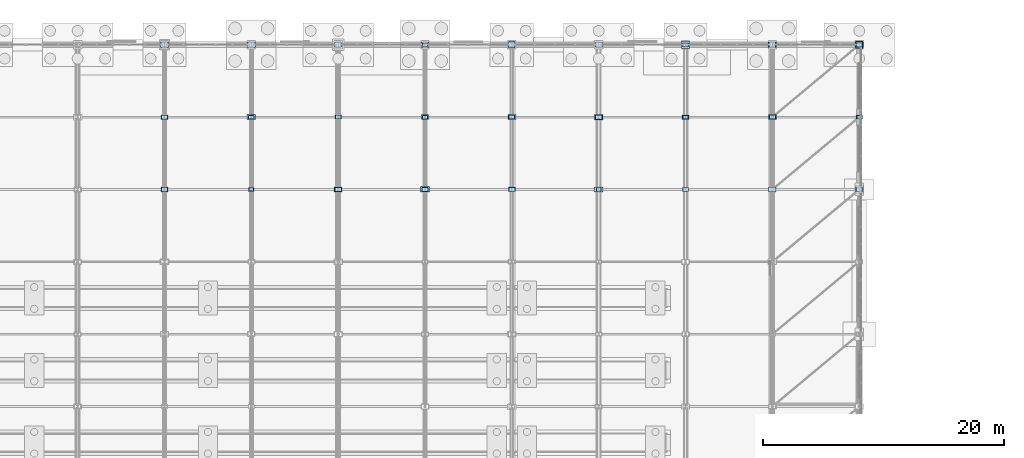
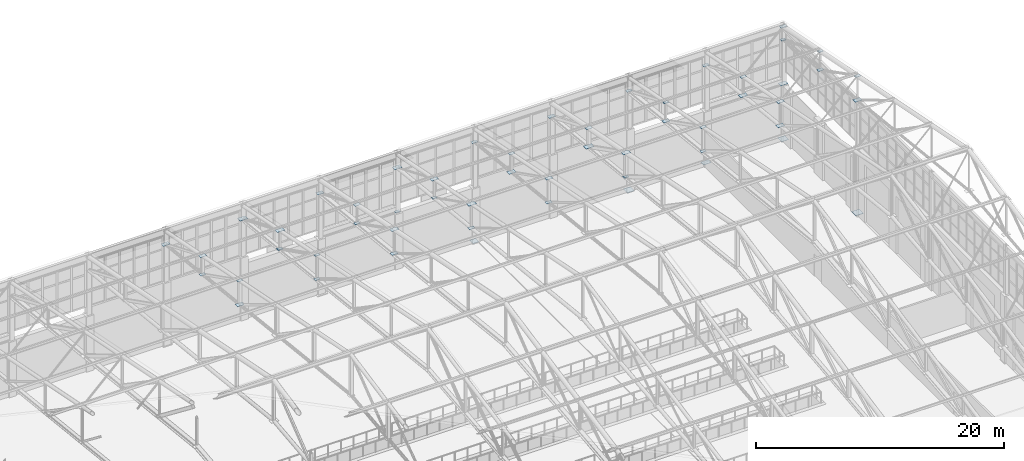
# One storey, part 261 of 293: 53 plates.
"""IFC4 building model written with IfcOpenShell, lengths in metres."""

from ifc_helpers import new_model, si_unit, direction, frame, origin, origin_2d, place, context, subcontext, project, spatial, rectangle, extrude, material, layer, layer_set, type_object, element, save


model = new_model("IFC4")

# Units and contexts
model_context = context("Model", 3, precision=1e-05, world=origin(), true_north=direction((0.0, 1.0)))
body_context = subcontext(model_context, "Body", "Model", "MODEL_VIEW")
ifc_project = project(units=[si_unit("LENGTHUNIT", "METRE"), si_unit("AREAUNIT", "SQUARE_METRE"), si_unit("VOLUMEUNIT", "CUBIC_METRE"), si_unit("PLANEANGLEUNIT", "RADIAN"), si_unit("MASSUNIT", "GRAM", prefix="KILO")], contexts=[model_context])

# Site, building, storey
site_placement = place(None, origin())
site = spatial("IfcSite", under=ifc_project, at=site_placement, CompositionType="ELEMENT")
building_placement = place(site_placement, origin())
building = spatial("IfcBuilding", under=site, at=building_placement, Name="Kemerveld Promenade Tramway Depot", CompositionType="ELEMENT")
storey_placement = place(building_placement, origin())
storey = spatial("IfcBuildingStorey", under=building, at=storey_placement, Name="L00", CompositionType="ELEMENT", Elevation=0.0)

# Plates
ifc_material = material(Name="Steel S355", Category="steel")
ifc_layer_1 = layer(ifc_material, 0.034912109375)
ifc_layer_set_1 = layer_set([ifc_layer_1], Name="PL-BP05")
plate_type_1 = type_object("IfcPlateType", Name="PL-BP05", PredefinedType="USERDEFINED", material=ifc_layer_set_1)
plate_1_placement = place(storey_placement, frame((187.199951171875, 132.0, 0.0), z_axis=(0.0, 0.0, 1.0), x_axis=(1.0, 0.0, 0.0)))
element("IfcPlate", 1, at=plate_1_placement, inside=storey, type_object=plate_type_1, Name="BP-27-S", ObjectType="BASE_PLATE", PredefinedType="USERDEFINED", context=body_context, shape_type="SweptSolid", body=[
    extrude(rectangle(XDim=0.699951171875, YDim=0.699951171875, at=origin_2d()), origin(), (0.0, 0.0, 1.0), 0.034912109375),
])
ifc_layer_2 = layer(ifc_material, 0.030029296875)
ifc_layer_set_2 = layer_set([ifc_layer_2], Name="PL-BP06")
plate_type_2 = type_object("IfcPlateType", Name="PL-BP06", PredefinedType="USERDEFINED", material=ifc_layer_set_2)
for number, where, z_axis, x_axis, name in (
    (2, (172.800048828125, 144.0, 0.0), (0.0, 0.0, 1.0), (1.0, 0.0, 0.0), "BP-25-U"),
    (3, (187.199951171875, 144.0, 0.0), (0.0, 0.0, 1.0), (1.0, 0.0, 0.0), "BP-27-U"),
):
    element("IfcPlate", number, at=place(storey_placement, frame(where, z_axis=z_axis, x_axis=x_axis)), inside=storey, type_object=plate_type_2, Name=name, ObjectType="BASE_PLATE", PredefinedType="USERDEFINED", context=body_context, shape_type="SweptSolid", body=[
        extrude(rectangle(XDim=0.64990234375, YDim=0.64990234375, at=origin_2d()), origin(), (0.0, 0.0, 1.0), 0.030029296875),
    ])
ifc_layer_3 = layer(ifc_material, 0.02490234375)
ifc_layer_set_3 = layer_set([ifc_layer_3], Name="PL-BP08")
plate_type_3 = type_object("IfcPlateType", Name="PL-BP08", PredefinedType="USERDEFINED", material=ifc_layer_set_3)
plate_2_placement = place(storey_placement, frame((158.39990234375, 144.0, 0.0), z_axis=(0.0, 0.0, 1.0), x_axis=(1.0, 0.0, 0.0)))
element("IfcPlate", 4, at=plate_2_placement, inside=storey, type_object=plate_type_3, Name="BP-23-U", ObjectType="BASE_PLATE", PredefinedType="USERDEFINED", context=body_context, shape_type="SweptSolid", body=[
    extrude(rectangle(XDim=0.550048828125, YDim=0.550048828125, at=origin_2d()), origin(), (0.0, 0.0, 1.0), 0.02490234375),
])
ifc_layer_4 = layer(ifc_material, 0.02490234375)
ifc_layer_set_4 = layer_set([ifc_layer_4], Name="PL-GS01")
plate_type_4 = type_object("IfcPlateType", Name="PL-GS01", PredefinedType="USERDEFINED", material=ifc_layer_set_4)
for number, where, z_axis, x_axis, name in (
    (5, (129.60009765625, 144.0, 9.78759765625), (0.0, 0.0, 1.0), (1.0, 0.0, 0.0), "GP-NODE-0328"),
    (6, (144.0, 132.0, 13.487548828125), (0.0, 0.0, 1.0), (1.0, 0.0, 0.0), "GP-NODE-0364"),
    (7, (158.39990234375, 138.0, 10.447509765625), (0.0, 0.0, 1.0), (1.0, 0.0, 0.0), "GP-NODE-0400"),
    (8, (187.199951171875, 132.0, 11.107666015625), (0.0, 0.0, 1.0), (1.0, 0.0, 0.0), "GP-NODE-0472"),
):
    element("IfcPlate", number, at=place(storey_placement, frame(where, z_axis=z_axis, x_axis=x_axis)), inside=storey, type_object=plate_type_4, Name=name, ObjectType="GUSSET_PLATE", PredefinedType="USERDEFINED", context=body_context, shape_type="SweptSolid", body=[
        extrude(rectangle(XDim=0.64990234375, YDim=0.419921875, at=origin_2d()), origin(), (0.0, 0.0, 1.0), 0.02490234375),
    ])
ifc_layer_5 = layer(ifc_material, 0.02490234375)
ifc_layer_set_5 = layer_set([ifc_layer_5], Name="PL-GS02")
plate_type_5 = type_object("IfcPlateType", Name="PL-GS02", PredefinedType="USERDEFINED", material=ifc_layer_set_5)
for number, where, z_axis, x_axis, name in (
    (9, (129.60009765625, 138.0, 12.28759765625), (0.0, 0.0, 1.0), (1.0, 0.0, 0.0), "GP-NODE-0329"),
    (10, (144.0, 144.0, 9.78759765625), (0.0, 0.0, 1.0), (1.0, 0.0, 0.0), "GP-NODE-0365"),
    (11, (158.39990234375, 132.0, 13.487548828125), (0.0, 0.0, 1.0), (1.0, 0.0, 0.0), "GP-NODE-0401"),
    (12, (172.800048828125, 138.0, 10.447509765625), (0.0, 0.0, 1.0), (1.0, 0.0, 0.0), "GP-NODE-0437"),
):
    element("IfcPlate", number, at=place(storey_placement, frame(where, z_axis=z_axis, x_axis=x_axis)), inside=storey, type_object=plate_type_5, Name=name, ObjectType="GUSSET_PLATE", PredefinedType="USERDEFINED", context=body_context, shape_type="SweptSolid", body=[
        extrude(rectangle(XDim=0.580078125, YDim=0.3798828125, at=origin_2d()), origin(), (0.0, 0.0, 1.0), 0.02490234375),
    ])
ifc_layer_6 = layer(ifc_material, 0.02001953125)
ifc_layer_set_6 = layer_set([ifc_layer_6], Name="PL-GS03")
plate_type_6 = type_object("IfcPlateType", Name="PL-GS03", PredefinedType="USERDEFINED", material=ifc_layer_set_6)
for number, where, z_axis, x_axis, name in (
    (13, (151.199951171875, 132.0, 11.110107421875), (0.0, 0.0, 1.0), (1.0, 0.0, 0.0), "GP-22-08"),
    (14, (144.0, 138.0, 12.2900390625), (0.0, 0.0, 1.0), (1.0, 0.0, 0.0), "GP-NODE-0366"),
    (15, (158.39990234375, 144.0, 9.7900390625), (0.0, 0.0, 1.0), (1.0, 0.0, 0.0), "GP-NODE-0402"),
    (16, (172.800048828125, 132.0, 13.489990234375), (0.0, 0.0, 1.0), (1.0, 0.0, 0.0), "GP-NODE-0438"),
    (17, (187.199951171875, 138.0, 10.449951171875), (0.0, 0.0, 1.0), (1.0, 0.0, 0.0), "GP-NODE-0474"),
):
    element("IfcPlate", number, at=place(storey_placement, frame(where, z_axis=z_axis, x_axis=x_axis)), inside=storey, type_object=plate_type_6, Name=name, ObjectType="GUSSET_PLATE", PredefinedType="USERDEFINED", context=body_context, shape_type="SweptSolid", body=[
        extrude(rectangle(XDim=0.52001953125, YDim=0.340087890625, at=origin_2d()), origin(), (0.0, 0.0, 1.0), 0.02001953125),
    ])
ifc_layer_7 = layer(ifc_material, 0.02001953125)
ifc_layer_set_7 = layer_set([ifc_layer_7], Name="PL-GS04")
plate_type_7 = type_object("IfcPlateType", Name="PL-GS04", PredefinedType="USERDEFINED", material=ifc_layer_set_7)
for number, where, z_axis, x_axis, name in (
    (18, (158.39990234375, 138.0, 12.2900390625), (0.0, 0.0, 1.0), (1.0, 0.0, 0.0), "GP-NODE-0403"),
    (19, (172.800048828125, 144.0, 9.7900390625), (0.0, 0.0, 1.0), (1.0, 0.0, 0.0), "GP-NODE-0439"),
    (20, (187.199951171875, 132.0, 13.489990234375), (0.0, 0.0, 1.0), (1.0, 0.0, 0.0), "GP-NODE-0475"),
):
    element("IfcPlate", number, at=place(storey_placement, frame(where, z_axis=z_axis, x_axis=x_axis)), inside=storey, type_object=plate_type_7, Name=name, ObjectType="GUSSET_PLATE", PredefinedType="USERDEFINED", context=body_context, shape_type="SweptSolid", body=[
        extrude(rectangle(XDim=0.47998046875, YDim=0.320068359375, at=origin_2d()), origin(), (0.0, 0.0, 1.0), 0.02001953125),
    ])
ifc_layer_8 = layer(ifc_material, 0.02001953125)
ifc_layer_set_8 = layer_set([ifc_layer_8], Name="PL-GS05")
plate_type_8 = type_object("IfcPlateType", Name="PL-GS05", PredefinedType="USERDEFINED", material=ifc_layer_set_8)
for number, where, z_axis, x_axis, name in (
    (21, (136.800048828125, 138.0, 10.449951171875), (0.0, 0.0, 1.0), (1.0, 0.0, 0.0), "GP-NODE-0344"),
    (22, (172.800048828125, 138.0, 12.2900390625), (0.0, 0.0, 1.0), (1.0, 0.0, 0.0), "GP-NODE-0440"),
    (23, (187.199951171875, 144.0, 9.7900390625), (0.0, 0.0, 1.0), (1.0, 0.0, 0.0), "GP-NODE-0476"),
):
    element("IfcPlate", number, at=place(storey_placement, frame(where, z_axis=z_axis, x_axis=x_axis)), inside=storey, type_object=plate_type_8, Name=name, ObjectType="GUSSET_PLATE", PredefinedType="USERDEFINED", context=body_context, shape_type="SweptSolid", body=[
        extrude(rectangle(XDim=0.43994140625, YDim=0.300048828125, at=origin_2d()), origin(), (0.0, 0.0, 1.0), 0.02001953125),
    ])
ifc_layer_9 = layer(ifc_material, 0.01806640625)
ifc_layer_set_9 = layer_set([ifc_layer_9], Name="PL-GS06")
plate_type_9 = type_object("IfcPlateType", Name="PL-GS06", PredefinedType="USERDEFINED", material=ifc_layer_set_9)
for number, where, z_axis, x_axis, name in (
    (24, (165.60009765625, 132.0, 11.111083984375), (0.0, 0.0, 1.0), (1.0, 0.0, 0.0), "GP-24-08"),
    (25, (151.199951171875, 144.0, 5.454345703125), (0.0, 0.0, 1.0), (1.0, 0.0, 0.0), "GP-NODE-0069"),
    (26, (136.800048828125, 132.0, 13.490966796875), (0.0, 0.0, 1.0), (1.0, 0.0, 0.0), "GP-NODE-0345"),
    (27, (151.199951171875, 138.0, 10.450927734375), (0.0, 0.0, 1.0), (1.0, 0.0, 0.0), "GP-NODE-0381"),
    (28, (187.199951171875, 138.0, 12.291015625), (0.0, 0.0, 1.0), (1.0, 0.0, 0.0), "GP-NODE-0477"),
):
    element("IfcPlate", number, at=place(storey_placement, frame(where, z_axis=z_axis, x_axis=x_axis)), inside=storey, type_object=plate_type_9, Name=name, ObjectType="GUSSET_PLATE", PredefinedType="USERDEFINED", context=body_context, shape_type="SweptSolid", body=[
        extrude(rectangle(XDim=0.39990234375, YDim=0.280029296875, at=origin_2d()), origin(), (0.0, 0.0, 1.0), 0.01806640625),
    ])
ifc_layer_10 = layer(ifc_material, 0.028076171875)
ifc_layer_set_10 = layer_set([ifc_layer_10], Name="PL-GS07")
plate_type_10 = type_object("IfcPlateType", Name="PL-GS07", PredefinedType="USERDEFINED", material=ifc_layer_set_10)
for number, where, z_axis, x_axis, name in (
    (29, (180.0, 144.0, 0.18603515625), (0.0, 0.0, 1.0), (1.0, 0.0, 0.0), "GP-NODE-0070"),
    (30, (136.800048828125, 144.0, 9.7861328125), (0.0, 0.0, 1.0), (1.0, 0.0, 0.0), "GP-NODE-0346"),
    (31, (151.199951171875, 132.0, 13.48583984375), (0.0, 0.0, 1.0), (1.0, 0.0, 0.0), "GP-NODE-0382"),
    (32, (165.60009765625, 138.0, 10.44580078125), (0.0, 0.0, 1.0), (1.0, 0.0, 0.0), "GP-NODE-0418"),
):
    element("IfcPlate", number, at=place(storey_placement, frame(where, z_axis=z_axis, x_axis=x_axis)), inside=storey, type_object=plate_type_10, Name=name, ObjectType="GUSSET_PLATE", PredefinedType="USERDEFINED", context=body_context, shape_type="SweptSolid", body=[
        extrude(rectangle(XDim=0.719970703125, YDim=0.4599609375, at=origin_2d()), origin(), (0.0, 0.0, 1.0), 0.028076171875),
    ])
ifc_layer_11 = layer(ifc_material, 0.02587890625)
ifc_layer_set_11 = layer_set([ifc_layer_11], Name="PL-GS08")
plate_type_11 = type_object("IfcPlateType", Name="PL-GS08", PredefinedType="USERDEFINED", material=ifc_layer_set_11)
for number, where, z_axis, x_axis, name in (
    (33, (187.199951171875, 144.0, 5.450439453125), (0.0, 0.0, 1.0), (1.0, 0.0, 0.0), "GP-NODE-0071"),
    (34, (136.800048828125, 138.0, 12.287109375), (0.0, 0.0, 1.0), (1.0, 0.0, 0.0), "GP-NODE-0347"),
    (35, (151.199951171875, 144.0, 9.787109375), (0.0, 0.0, 1.0), (1.0, 0.0, 0.0), "GP-NODE-0383"),
    (36, (165.60009765625, 132.0, 13.487060546875), (0.0, 0.0, 1.0), (1.0, 0.0, 0.0), "GP-NODE-0419"),
    (37, (180.0, 138.0, 10.447021484375), (0.0, 0.0, 1.0), (1.0, 0.0, 0.0), "GP-NODE-0455"),
):
    element("IfcPlate", number, at=place(storey_placement, frame(where, z_axis=z_axis, x_axis=x_axis)), inside=storey, type_object=plate_type_11, Name=name, ObjectType="GUSSET_PLATE", PredefinedType="USERDEFINED", context=body_context, shape_type="SweptSolid", body=[
        extrude(rectangle(XDim=0.679931640625, YDim=0.43994140625, at=origin_2d()), origin(), (0.0, 0.0, 1.0), 0.02587890625),
    ])
ifc_layer_12 = layer(ifc_material, 0.02392578125)
ifc_layer_set_12 = layer_set([ifc_layer_12], Name="PL-GS09")
plate_type_12 = type_object("IfcPlateType", Name="PL-GS09", PredefinedType="USERDEFINED", material=ifc_layer_set_12)
for number, where, z_axis, x_axis, name in (
    (38, (180.0, 132.0, 11.108154296875), (0.0, 0.0, 1.0), (1.0, 0.0, 0.0), "GP-26-08"),
    (39, (129.60009765625, 132.0, 11.108154296875), (0.0, 0.0, 1.0), (1.0, 0.0, 0.0), "GP-NODE-0324"),
    (40, (151.199951171875, 138.0, 12.2880859375), (0.0, 0.0, 1.0), (1.0, 0.0, 0.0), "GP-NODE-0384"),
    (41, (165.60009765625, 144.0, 9.7880859375), (0.0, 0.0, 1.0), (1.0, 0.0, 0.0), "GP-NODE-0420"),
    (42, (180.0, 132.0, 13.488037109375), (0.0, 0.0, 1.0), (1.0, 0.0, 0.0), "GP-NODE-0456"),
):
    element("IfcPlate", number, at=place(storey_placement, frame(where, z_axis=z_axis, x_axis=x_axis)), inside=storey, type_object=plate_type_12, Name=name, ObjectType="GUSSET_PLATE", PredefinedType="USERDEFINED", context=body_context, shape_type="SweptSolid", body=[
        extrude(rectangle(XDim=0.6201171875, YDim=0.39990234375, at=origin_2d()), origin(), (0.0, 0.0, 1.0), 0.02392578125),
    ])
ifc_layer_13 = layer(ifc_material, 0.02197265625)
ifc_layer_set_13 = layer_set([ifc_layer_13], Name="PL-GS10")
plate_type_13 = type_object("IfcPlateType", Name="PL-GS10", PredefinedType="USERDEFINED", material=ifc_layer_set_13)
for number, where, z_axis, x_axis, name in (
    (43, (144.0, 132.0, 11.109130859375), (0.0, 0.0, 1.0), (1.0, 0.0, 0.0), "GP-NODE-0361"),
    (44, (165.60009765625, 138.0, 12.2890625), (0.0, 0.0, 1.0), (1.0, 0.0, 0.0), "GP-NODE-0421"),
    (45, (180.0, 144.0, 9.7890625), (0.0, 0.0, 1.0), (1.0, 0.0, 0.0), "GP-NODE-0457"),
    (46, (187.199951171875, 144.0, 11.089111328125), (0.0, 0.0, 1.0), (1.0, 0.0, 0.0), "GP-NODE-0481"),
):
    element("IfcPlate", number, at=place(storey_placement, frame(where, z_axis=z_axis, x_axis=x_axis)), inside=storey, type_object=plate_type_13, Name=name, ObjectType="GUSSET_PLATE", PredefinedType="USERDEFINED", context=body_context, shape_type="SweptSolid", body=[
        extrude(rectangle(XDim=0.550048828125, YDim=0.360107421875, at=origin_2d()), origin(), (0.0, 0.0, 1.0), 0.02197265625),
    ])
ifc_layer_14 = layer(ifc_material, 0.02001953125)
ifc_layer_set_14 = layer_set([ifc_layer_14], Name="PL-GS11")
plate_type_14 = type_object("IfcPlateType", Name="PL-GS11", PredefinedType="USERDEFINED", material=ifc_layer_set_14)
for number, where, z_axis, x_axis, name in (
    (47, (129.60009765625, 138.0, 10.449951171875), (0.0, 0.0, 1.0), (1.0, 0.0, 0.0), "GP-NODE-0326"),
    (48, (158.39990234375, 132.0, 11.110107421875), (0.0, 0.0, 1.0), (1.0, 0.0, 0.0), "GP-NODE-0398"),
    (49, (180.0, 138.0, 12.2900390625), (0.0, 0.0, 1.0), (1.0, 0.0, 0.0), "GP-NODE-0458"),
):
    element("IfcPlate", number, at=place(storey_placement, frame(where, z_axis=z_axis, x_axis=x_axis)), inside=storey, type_object=plate_type_14, Name=name, ObjectType="GUSSET_PLATE", PredefinedType="USERDEFINED", context=body_context, shape_type="SweptSolid", body=[
        extrude(rectangle(XDim=0.5, YDim=0.330078125, at=origin_2d()), origin(), (0.0, 0.0, 1.0), 0.02001953125),
    ])
ifc_layer_15 = layer(ifc_material, 0.01806640625)
ifc_layer_set_15 = layer_set([ifc_layer_15], Name="PL-GS12")
plate_type_15 = type_object("IfcPlateType", Name="PL-GS12", PredefinedType="USERDEFINED", material=ifc_layer_set_15)
for number, where, z_axis, x_axis, name in (
    (50, (136.800048828125, 132.0, 11.111083984375), (0.0, 0.0, 1.0), (1.0, 0.0, 0.0), "GP-20-08"),
    (51, (129.60009765625, 132.0, 13.490966796875), (0.0, 0.0, 1.0), (1.0, 0.0, 0.0), "GP-NODE-0327"),
    (52, (144.0, 138.0, 10.450927734375), (0.0, 0.0, 1.0), (1.0, 0.0, 0.0), "GP-NODE-0363"),
    (53, (172.800048828125, 132.0, 11.111083984375), (0.0, 0.0, 1.0), (1.0, 0.0, 0.0), "GP-NODE-0435"),
):
    element("IfcPlate", number, at=place(storey_placement, frame(where, z_axis=z_axis, x_axis=x_axis)), inside=storey, type_object=plate_type_15, Name=name, ObjectType="GUSSET_PLATE", PredefinedType="USERDEFINED", context=body_context, shape_type="SweptSolid", body=[
        extrude(rectangle(XDim=0.4599609375, YDim=0.31005859375, at=origin_2d()), origin(), (0.0, 0.0, 1.0), 0.01806640625),
    ])

save(model, "model.ifc")
